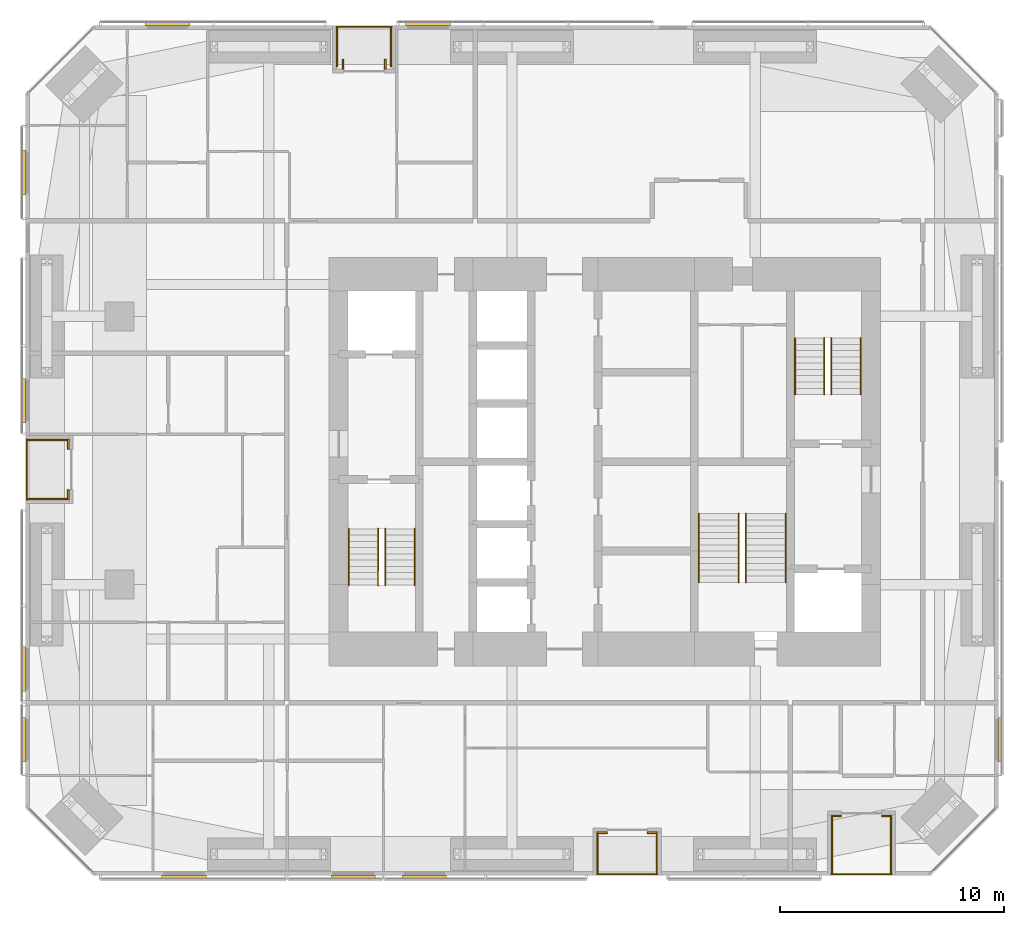
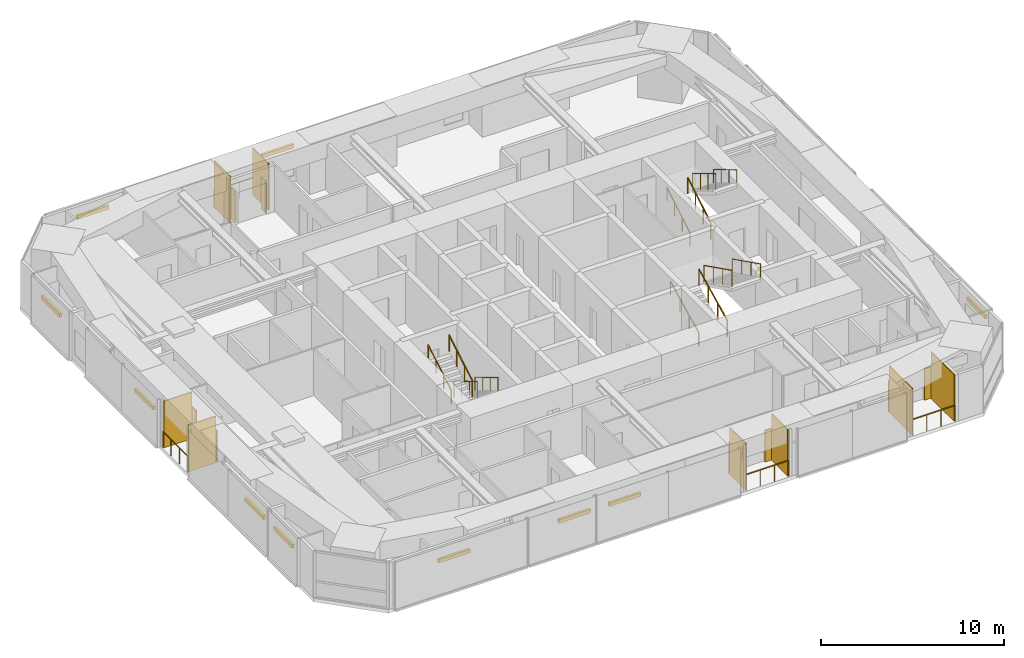
# One storey, part 24 of 24: 26 shading devices, 16 railings.
"""IFC4 building model written with IfcOpenShell, lengths in metres."""

from ifc_helpers import new_model, si_unit, direction, frame, origin, origin_2d, place, context, subcontext, project, spatial, rectangle, circle, extrude, material, layer, layer_set, constituent, constituent_set, type_object, element, save


model = new_model("IFC4")

# Units and contexts
model_context = context("Model", 3, precision=1e-05, world=origin(), true_north=direction((0.0, 1.0)))
body_context = subcontext(model_context, "Body", "Model", "MODEL_VIEW")
ifc_project = project(units=[si_unit("LENGTHUNIT", "METRE"), si_unit("AREAUNIT", "SQUARE_METRE"), si_unit("VOLUMEUNIT", "CUBIC_METRE"), si_unit("PLANEANGLEUNIT", "RADIAN"), si_unit("MASSUNIT", "GRAM", prefix="KILO")], contexts=[model_context])

# Site, building, storey
site_placement = place(None, origin())
site = spatial("IfcSite", under=ifc_project, at=site_placement, CompositionType="ELEMENT")
building_placement = place(site_placement, origin())
building = spatial("IfcBuilding", under=site, at=building_placement, Name="Jalousie Tower", CompositionType="ELEMENT")
storey_placement = place(building_placement, frame((0.0, 0.0, 131.64990234375)))
storey = spatial("IfcBuildingStorey", under=building, at=storey_placement, Name="L36", CompositionType="ELEMENT", Elevation=131.64990234375)

# Shading devices
ifc_material_1 = material(Name="Aluminium impact-rated louvred storm shutter", Category="aluminium")
shading_device_type_1 = type_object("IfcShadingDeviceType", Name="BI-FOLD STORM SHUTTER 900x2100", PredefinedType="SHUTTER", material=ifc_material_1)
for number, where, z_axis, x_axis, name in (
    (1, (31.77490234375, 1.909912109375, 0.0), (0.0, 0.0, 1.0), (1.0, 0.0, 0.0), "Loggia storm shutter L36"),
    (2, (34.02490234375, 1.909912109375, 0.0), (0.0, 0.0, 1.0), (1.0, 0.0, 0.0), "Loggia storm shutter L36"),
    (3, (42.25, 2.659912109375, 0.0), (0.0, 0.0, 1.0), (1.0, 0.0, 0.0), "Loggia storm shutter L36"),
    (4, (44.5, 2.659912109375, 0.0), (0.0, 0.0, 1.0), (1.0, 0.0, 0.0), "Loggia storm shutter L36"),
    (5, (22.077392578125, 36.27490234375, 0.0), (0.0, 0.0, 1.0), (0.0, -1.0, 0.0), "Loggia storm shutter L36"),
    (6, (20.197509765625, 36.27490234375, 0.0), (0.0, 0.0, 1.0), (0.0, -1.0, 0.0), "Loggia storm shutter L36"),
    (7, (7.909912109375, 19.27490234375, 0.0), (0.0, 0.0, 1.0), (0.0, -1.0, 0.0), "Loggia storm shutter L36"),
    (8, (7.909912109375, 17.02490234375, 0.0), (0.0, 0.0, 1.0), (0.0, -1.0, 0.0), "Loggia storm shutter L36"),
):
    element("IfcShadingDevice", number, at=place(storey_placement, frame(where, z_axis=z_axis, x_axis=x_axis)), inside=storey, type_object=shading_device_type_1, Name=name, PredefinedType="SHUTTER", context=body_context, shape_type="SweptSolid", body=[
        extrude(rectangle(XDim=0.449951171875, YDim=0.080078125, at=origin_2d()), origin(), (0.0, 0.0, 1.0), 2.10009765625),
    ])

# Railings
ifc_material_2 = material(Name="Powder-coated aluminium fretwork", Category="aluminium")
railing_type_1 = type_object("IfcRailingType", Name="FRETWORK BALUSTRADE 1100", PredefinedType="BALUSTRADE", material=ifc_material_2)
railing_1_placement = place(storey_placement, frame((31.550048828125, 0.050048828125, 0.0)))
element("IfcRailing", 9, at=railing_1_placement, inside=storey, type_object=railing_type_1, Name="Loggia fretwork balustrade L36", PredefinedType="BALUSTRADE", context=body_context, shape_type="SweptSolid", body=[
    extrude(rectangle(XDim=0.048095703125, YDim=0.048095703125, at=origin_2d()), frame((0.0, 0.0, 1.076171875), z_axis=(1.0, 0.0, 0.0), x_axis=(0.0, 1.0, 0.0)), (0.0, 0.0, 1.0), 2.699951171875),
    extrude(circle(Radius=0.02099609375, at=origin_2d()), origin(), (0.0, 0.0, 1.0), 1.052001953125),
    extrude(circle(Radius=0.02099609375, at=origin_2d()), frame((0.89990234375, 0.0, 0.0)), (0.0, 0.0, 1.0), 1.052001953125),
    extrude(circle(Radius=0.02099609375, at=origin_2d()), frame((1.800048828125, 0.0, 0.0)), (0.0, 0.0, 1.0), 1.052001953125),
    extrude(circle(Radius=0.02099609375, at=origin_2d()), frame((2.699951171875, 0.0, 0.0)), (0.0, 0.0, 1.0), 1.052001953125),
])
railing_2_placement = place(storey_placement, frame((42.02490234375, 0.050048828125, 0.0)))
element("IfcRailing", 10, at=railing_2_placement, inside=storey, type_object=railing_type_1, Name="Loggia fretwork balustrade L36", PredefinedType="BALUSTRADE", context=body_context, shape_type="SweptSolid", body=[
    extrude(rectangle(XDim=0.048095703125, YDim=0.048095703125, at=origin_2d()), frame((0.0, 0.0, 1.076171875), z_axis=(1.0, 0.0, 0.0), x_axis=(0.0, 1.0, 0.0)), (0.0, 0.0, 1.0), 2.7001953125),
    extrude(circle(Radius=0.02099609375, at=origin_2d()), origin(), (0.0, 0.0, 1.0), 1.052001953125),
    extrude(circle(Radius=0.02099609375, at=origin_2d()), frame((0.900146484375, 0.0, 0.0)), (0.0, 0.0, 1.0), 1.052001953125),
    extrude(circle(Radius=0.02099609375, at=origin_2d()), frame((1.800048828125, 0.0, 0.0)), (0.0, 0.0, 1.0), 1.052001953125),
    extrude(circle(Radius=0.02099609375, at=origin_2d()), frame((2.7001953125, 0.0, 0.0)), (0.0, 0.0, 1.0), 1.052001953125),
])
railing_3_placement = place(storey_placement, frame((22.375, 37.949951171875, 0.0)))
element("IfcRailing", 11, at=railing_3_placement, inside=storey, type_object=railing_type_1, Name="Loggia fretwork balustrade L36", PredefinedType="BALUSTRADE", context=body_context, shape_type="SweptSolid", body=[
    extrude(rectangle(XDim=0.048095703125, YDim=0.048095703125, at=origin_2d()), frame((0.0, 0.0, 1.076171875), z_axis=(-1.0, 0.0, 0.0), x_axis=(0.0, -1.0, 0.0)), (0.0, 0.0, 1.0), 2.47509765625),
    extrude(circle(Radius=0.02099609375, at=origin_2d()), origin(), (0.0, 0.0, 1.0), 1.052001953125),
    extrude(circle(Radius=0.02099609375, at=origin_2d()), frame((-0.824951171875, 0.0, 0.0)), (0.0, 0.0, 1.0), 1.052001953125),
    extrude(circle(Radius=0.02099609375, at=origin_2d()), frame((-1.650146484375, 0.0, 0.0)), (0.0, 0.0, 1.0), 1.052001953125),
    extrude(circle(Radius=0.02099609375, at=origin_2d()), frame((-2.47509765625, 0.0, 0.0)), (0.0, 0.0, 1.0), 1.052001953125),
])
railing_4_placement = place(storey_placement, frame((6.050048828125, 19.5, 0.0)))
element("IfcRailing", 12, at=railing_4_placement, inside=storey, type_object=railing_type_1, Name="Loggia fretwork balustrade L36", PredefinedType="BALUSTRADE", context=body_context, shape_type="SweptSolid", body=[
    extrude(rectangle(XDim=0.048095703125, YDim=0.048095703125, at=origin_2d()), frame((0.0, 0.0, 1.076171875), z_axis=(0.0, -1.0, 0.0), x_axis=(1.0, 0.0, 0.0)), (0.0, 0.0, 1.0), 2.699951171875),
    extrude(circle(Radius=0.02099609375, at=origin_2d()), origin(), (0.0, 0.0, 1.0), 1.052001953125),
    extrude(circle(Radius=0.02099609375, at=origin_2d()), frame((0.0, -0.89990234375, 0.0)), (0.0, 0.0, 1.0), 1.052001953125),
    extrude(circle(Radius=0.02099609375, at=origin_2d()), frame((0.0, -1.800048828125, 0.0)), (0.0, 0.0, 1.0), 1.052001953125),
    extrude(circle(Radius=0.02099609375, at=origin_2d()), frame((0.0, -2.699951171875, 0.0)), (0.0, 0.0, 1.0), 1.052001953125),
])

# Shading devices
ifc_material_3 = material(Name="Powder-coated aluminium louvres", Category="aluminium")
ifc_layer = layer(ifc_material_3, 0.06005859375)
ifc_layer_set = layer_set([ifc_layer], Name="Powder-coated aluminium louvres")
shading_device_type_2 = type_object("IfcShadingDeviceType", Name="JALOUSIE LOUVRE SCREEN", PredefinedType="JALOUSIE", material=ifc_layer_set)
for number, where, z_axis, x_axis, name in (
    (13, (31.580078125, 0.97509765625, 0.0), (0.0, 0.0, 1.0), (1.0, 0.0, 0.0), "Loggia jalousie louvre screen L36"),
    (14, (34.219970703125, 0.97509765625, 0.0), (0.0, 0.0, 1.0), (1.0, 0.0, 0.0), "Loggia jalousie louvre screen L36"),
):
    element("IfcShadingDevice", number, at=place(storey_placement, frame(where, z_axis=z_axis, x_axis=x_axis)), inside=storey, type_object=shading_device_type_2, Name=name, PredefinedType="JALOUSIE", context=body_context, shape_type="SweptSolid", body=[
        extrude(rectangle(XDim=0.06005859375, YDim=1.75, at=origin_2d()), origin(), (0.0, 0.0, 1.0), 3.110107421875),
    ])
for number, where, z_axis, x_axis, name in (
    (15, (42.054931640625, 1.35009765625, 0.0), (0.0, 0.0, 1.0), (1.0, 0.0, 0.0), "Loggia jalousie louvre screen L36"),
    (16, (44.695068359375, 1.35009765625, 0.0), (0.0, 0.0, 1.0), (1.0, 0.0, 0.0), "Loggia jalousie louvre screen L36"),
):
    element("IfcShadingDevice", number, at=place(storey_placement, frame(where, z_axis=z_axis, x_axis=x_axis)), inside=storey, type_object=shading_device_type_2, Name=name, PredefinedType="JALOUSIE", context=body_context, shape_type="SweptSolid", body=[
        extrude(rectangle(XDim=0.06005859375, YDim=2.5, at=origin_2d()), origin(), (0.0, 0.0, 1.0), 3.110107421875),
    ])
for number, where, z_axis, x_axis, name in (
    (17, (22.344970703125, 37.02490234375, 0.0), (0.0, 0.0, 1.0), (-1.0, 0.0, 0.0), "Loggia jalousie louvre screen L36"),
    (18, (19.929931640625, 37.02490234375, 0.0), (0.0, 0.0, 1.0), (-1.0, 0.0, 0.0), "Loggia jalousie louvre screen L36"),
    (19, (6.97509765625, 19.469970703125, 0.0), (0.0, 0.0, 1.0), (0.0, -1.0, 0.0), "Loggia jalousie louvre screen L36"),
    (20, (6.97509765625, 16.830078125, 0.0), (0.0, 0.0, 1.0), (0.0, -1.0, 0.0), "Loggia jalousie louvre screen L36"),
):
    element("IfcShadingDevice", number, at=place(storey_placement, frame(where, z_axis=z_axis, x_axis=x_axis)), inside=storey, type_object=shading_device_type_2, Name=name, PredefinedType="JALOUSIE", context=body_context, shape_type="SweptSolid", body=[
        extrude(rectangle(XDim=0.06005859375, YDim=1.75, at=origin_2d()), origin(), (0.0, 0.0, 1.0), 3.110107421875),
    ])

# Railings
ifc_material_4 = material(Name="Steel ASTM A500 Grade C", Category="steel")
ifc_constituent_1 = constituent(ifc_material_4, Name="Body")
ifc_material_5 = material(Name="Hot-dip galvanised zinc coating")
ifc_constituent_2 = constituent(ifc_material_5, Name="Finish")
ifc_constituent_set_1 = constituent_set(constituents=[ifc_constituent_1, ifc_constituent_2])
railing_type_2 = type_object("IfcRailingType", Name="STAIR GUARD 1100", PredefinedType="GUARDRAIL", material=ifc_constituent_set_1)
railing_5_placement = place(storey_placement, frame((22.080078125, 15.49755859375, 0.16748046875)))
element("IfcRailing", 21, at=railing_5_placement, inside=storey, type_object=railing_type_2, Name="Exit stair A guard L36 flight 1", PredefinedType="GUARDRAIL", context=body_context, shape_type="SweptSolid", body=[
    extrude(rectangle(XDim=0.048095703125, YDim=0.048095703125, at=origin_2d()), frame((0.0, 0.0, 1.076171875), z_axis=(0.0, -0.858159760407, 0.513382728203), x_axis=(1.0, 0.0, 0.0)), (0.0, 0.0, 1.0), 2.9365234375),
    extrude(circle(Radius=0.02099609375, at=origin_2d()), origin(), (0.0, 0.0, 1.0), 1.052001953125),
    extrude(circle(Radius=0.02099609375, at=origin_2d()), frame((0.0, -0.840087890625, 0.50244140625)), (0.0, 0.0, 1.0), 1.052001953125),
    extrude(circle(Radius=0.02099609375, at=origin_2d()), frame((0.0, -1.679931640625, 1.005126953125)), (0.0, 0.0, 1.0), 1.052001953125),
    extrude(circle(Radius=0.02099609375, at=origin_2d()), frame((0.0, -2.52001953125, 1.507568359375)), (0.0, 0.0, 1.0), 1.052001953125),
])
for number, where, name in (
    (22, (21.77001953125, 12.9775390625, 1.842529296875), "Exit stair A guard L36 flight 2"),
    (23, (41.719970703125, 21.50244140625, 0.16748046875), "Exit stair B guard L36 flight 1"),
):
    element("IfcRailing", number, at=place(storey_placement, frame(where)), inside=storey, type_object=railing_type_2, Name=name, PredefinedType="GUARDRAIL", context=body_context, shape_type="SweptSolid", body=[
        extrude(rectangle(XDim=0.048095703125, YDim=0.048095703125, at=origin_2d()), frame((0.0, 0.0, 1.076171875), z_axis=(0.0, 0.858159760407, 0.513382728203), x_axis=(-1.0, 0.0, 0.0)), (0.0, 0.0, 1.0), 2.9365234375),
        extrude(circle(Radius=0.02099609375, at=origin_2d()), origin(), (0.0, 0.0, 1.0), 1.052001953125),
        extrude(circle(Radius=0.02099609375, at=origin_2d()), frame((0.0, 0.840087890625, 0.50244140625)), (0.0, 0.0, 1.0), 1.052001953125),
        extrude(circle(Radius=0.02099609375, at=origin_2d()), frame((0.0, 1.679931640625, 1.005126953125)), (0.0, 0.0, 1.0), 1.052001953125),
        extrude(circle(Radius=0.02099609375, at=origin_2d()), frame((0.0, 2.52001953125, 1.507568359375)), (0.0, 0.0, 1.0), 1.052001953125),
    ])
railing_6_placement = place(storey_placement, frame((42.030029296875, 24.0224609375, 1.842529296875)))
element("IfcRailing", 24, at=railing_6_placement, inside=storey, type_object=railing_type_2, Name="Exit stair B guard L36 flight 2", PredefinedType="GUARDRAIL", context=body_context, shape_type="SweptSolid", body=[
    extrude(rectangle(XDim=0.048095703125, YDim=0.048095703125, at=origin_2d()), frame((0.0, 0.0, 1.076171875), z_axis=(0.0, -0.858159760407, 0.513382728203), x_axis=(1.0, 0.0, 0.0)), (0.0, 0.0, 1.0), 2.9365234375),
    extrude(circle(Radius=0.02099609375, at=origin_2d()), origin(), (0.0, 0.0, 1.0), 1.052001953125),
    extrude(circle(Radius=0.02099609375, at=origin_2d()), frame((0.0, -0.840087890625, 0.50244140625)), (0.0, 0.0, 1.0), 1.052001953125),
    extrude(circle(Radius=0.02099609375, at=origin_2d()), frame((0.0, -1.679931640625, 1.005126953125)), (0.0, 0.0, 1.0), 1.052001953125),
    extrude(circle(Radius=0.02099609375, at=origin_2d()), frame((0.0, -2.52001953125, 1.507568359375)), (0.0, 0.0, 1.0), 1.052001953125),
])
railing_7_placement = place(storey_placement, frame((37.89501953125, 13.097412109375, 0.1396484375)))
element("IfcRailing", 25, at=railing_7_placement, inside=storey, type_object=railing_type_2, Name="Exit stair C guard L36 flight 1", PredefinedType="GUARDRAIL", context=body_context, shape_type="SweptSolid", body=[
    extrude(rectangle(XDim=0.048095703125, YDim=0.048095703125, at=origin_2d()), frame((0.0, 0.0, 1.076171875), z_axis=(0.0, 0.894965676997, 0.446134998624), x_axis=(-1.0, 0.0, 0.0)), (0.0, 0.0, 1.0), 3.441650390625),
    extrude(circle(Radius=0.02099609375, at=origin_2d()), origin(), (0.0, 0.0, 1.0), 1.052001953125),
    extrude(circle(Radius=0.02099609375, at=origin_2d()), frame((0.0, 1.026611328125, 0.51171875)), (0.0, 0.0, 1.0), 1.052001953125),
    extrude(circle(Radius=0.02099609375, at=origin_2d()), frame((0.0, 2.053466796875, 1.023681640625)), (0.0, 0.0, 1.0), 1.052001953125),
    extrude(circle(Radius=0.02099609375, at=origin_2d()), frame((0.0, 3.080078125, 1.535400390625)), (0.0, 0.0, 1.0), 1.052001953125),
])
railing_8_placement = place(storey_placement, frame((38.205078125, 16.177490234375, 1.814697265625)))
element("IfcRailing", 26, at=railing_8_placement, inside=storey, type_object=railing_type_2, Name="Exit stair C guard L36 flight 2", PredefinedType="GUARDRAIL", context=body_context, shape_type="SweptSolid", body=[
    extrude(rectangle(XDim=0.048095703125, YDim=0.048095703125, at=origin_2d()), frame((0.0, 0.0, 1.076171875), z_axis=(0.0, -0.894965676997, 0.446134998624), x_axis=(1.0, 0.0, 0.0)), (0.0, 0.0, 1.0), 3.441650390625),
    extrude(circle(Radius=0.02099609375, at=origin_2d()), origin(), (0.0, 0.0, 1.0), 1.052001953125),
    extrude(circle(Radius=0.02099609375, at=origin_2d()), frame((0.0, -1.026611328125, 0.51171875)), (0.0, 0.0, 1.0), 1.052001953125),
    extrude(circle(Radius=0.02099609375, at=origin_2d()), frame((0.0, -2.053466796875, 1.023681640625)), (0.0, 0.0, 1.0), 1.052001953125),
    extrude(circle(Radius=0.02099609375, at=origin_2d()), frame((0.0, -3.080078125, 1.535400390625)), (0.0, 0.0, 1.0), 1.052001953125),
])
ifc_material_6 = material(Name="Steel ASTM A500 Grade C", Category="steel")
ifc_constituent_3 = constituent(ifc_material_6, Name="Body")
ifc_material_7 = material(Name="Hot-dip galvanised zinc coating")
ifc_constituent_4 = constituent(ifc_material_7, Name="Finish")
ifc_constituent_set_2 = constituent_set(constituents=[ifc_constituent_3, ifc_constituent_4])
railing_type_3 = type_object("IfcRailingType", Name="STAIR HANDRAIL 900", PredefinedType="HANDRAIL", material=ifc_constituent_set_2)
railing_9_placement = place(storey_placement, frame((23.39501953125, 15.49755859375, 0.16748046875)))
element("IfcRailing", 27, at=railing_9_placement, inside=storey, type_object=railing_type_3, Name="Exit stair A handrail L36 flight 1", PredefinedType="HANDRAIL", context=body_context, shape_type="SweptSolid", body=[
    extrude(circle(Radius=0.02392578125, at=origin_2d()), frame((0.0, 0.0, 0.8759765625), z_axis=(0.0, -0.858159760407, 0.513382728203), x_axis=(1.0, 0.0, 0.0)), (0.0, 0.0, 1.0), 2.9365234375),
    extrude(circle(Radius=0.02099609375, at=origin_2d()), origin(), (0.0, 0.0, 1.0), 0.851806640625),
    extrude(circle(Radius=0.02099609375, at=origin_2d()), frame((0.0, -0.840087890625, 0.50244140625)), (0.0, 0.0, 1.0), 0.851806640625),
    extrude(circle(Radius=0.02099609375, at=origin_2d()), frame((0.0, -1.679931640625, 1.005126953125)), (0.0, 0.0, 1.0), 0.851806640625),
    extrude(circle(Radius=0.02099609375, at=origin_2d()), frame((0.0, -2.52001953125, 1.507568359375)), (0.0, 0.0, 1.0), 0.851806640625),
])
for number, where, name in (
    (28, (20.455078125, 12.9775390625, 1.842529296875), "Exit stair A handrail L36 flight 2"),
    (29, (40.405029296875, 21.50244140625, 0.16748046875), "Exit stair B handrail L36 flight 1"),
):
    element("IfcRailing", number, at=place(storey_placement, frame(where)), inside=storey, type_object=railing_type_3, Name=name, PredefinedType="HANDRAIL", context=body_context, shape_type="SweptSolid", body=[
        extrude(circle(Radius=0.02392578125, at=origin_2d()), frame((0.0, 0.0, 0.8759765625), z_axis=(0.0, 0.858159760407, 0.513382728203), x_axis=(-1.0, 0.0, 0.0)), (0.0, 0.0, 1.0), 2.9365234375),
        extrude(circle(Radius=0.02099609375, at=origin_2d()), origin(), (0.0, 0.0, 1.0), 0.851806640625),
        extrude(circle(Radius=0.02099609375, at=origin_2d()), frame((0.0, 0.840087890625, 0.50244140625)), (0.0, 0.0, 1.0), 0.851806640625),
        extrude(circle(Radius=0.02099609375, at=origin_2d()), frame((0.0, 1.679931640625, 1.005126953125)), (0.0, 0.0, 1.0), 0.851806640625),
        extrude(circle(Radius=0.02099609375, at=origin_2d()), frame((0.0, 2.52001953125, 1.507568359375)), (0.0, 0.0, 1.0), 0.851806640625),
    ])
railing_10_placement = place(storey_placement, frame((43.344970703125, 24.0224609375, 1.842529296875)))
element("IfcRailing", 30, at=railing_10_placement, inside=storey, type_object=railing_type_3, Name="Exit stair B handrail L36 flight 2", PredefinedType="HANDRAIL", context=body_context, shape_type="SweptSolid", body=[
    extrude(circle(Radius=0.02392578125, at=origin_2d()), frame((0.0, 0.0, 0.8759765625), z_axis=(0.0, -0.858159760407, 0.513382728203), x_axis=(1.0, 0.0, 0.0)), (0.0, 0.0, 1.0), 2.9365234375),
    extrude(circle(Radius=0.02099609375, at=origin_2d()), origin(), (0.0, 0.0, 1.0), 0.851806640625),
    extrude(circle(Radius=0.02099609375, at=origin_2d()), frame((0.0, -0.840087890625, 0.50244140625)), (0.0, 0.0, 1.0), 0.851806640625),
    extrude(circle(Radius=0.02099609375, at=origin_2d()), frame((0.0, -1.679931640625, 1.005126953125)), (0.0, 0.0, 1.0), 0.851806640625),
    extrude(circle(Radius=0.02099609375, at=origin_2d()), frame((0.0, -2.52001953125, 1.507568359375)), (0.0, 0.0, 1.0), 0.851806640625),
])
railing_11_placement = place(storey_placement, frame((36.10498046875, 13.097412109375, 0.1396484375)))
element("IfcRailing", 31, at=railing_11_placement, inside=storey, type_object=railing_type_3, Name="Exit stair C handrail L36 flight 1", PredefinedType="HANDRAIL", context=body_context, shape_type="SweptSolid", body=[
    extrude(circle(Radius=0.02392578125, at=origin_2d()), frame((0.0, 0.0, 0.8759765625), z_axis=(0.0, 0.894965676997, 0.446134998624), x_axis=(-1.0, 0.0, 0.0)), (0.0, 0.0, 1.0), 3.441650390625),
    extrude(circle(Radius=0.02099609375, at=origin_2d()), origin(), (0.0, 0.0, 1.0), 0.851806640625),
    extrude(circle(Radius=0.02099609375, at=origin_2d()), frame((0.0, 1.026611328125, 0.51171875)), (0.0, 0.0, 1.0), 0.851806640625),
    extrude(circle(Radius=0.02099609375, at=origin_2d()), frame((0.0, 2.053466796875, 1.023681640625)), (0.0, 0.0, 1.0), 0.851806640625),
    extrude(circle(Radius=0.02099609375, at=origin_2d()), frame((0.0, 3.080078125, 1.535400390625)), (0.0, 0.0, 1.0), 0.851806640625),
])
railing_12_placement = place(storey_placement, frame((39.9951171875, 16.177490234375, 1.814697265625)))
element("IfcRailing", 32, at=railing_12_placement, inside=storey, type_object=railing_type_3, Name="Exit stair C handrail L36 flight 2", PredefinedType="HANDRAIL", context=body_context, shape_type="SweptSolid", body=[
    extrude(circle(Radius=0.02392578125, at=origin_2d()), frame((0.0, 0.0, 0.8759765625), z_axis=(0.0, -0.894965676997, 0.446134998624), x_axis=(1.0, 0.0, 0.0)), (0.0, 0.0, 1.0), 3.441650390625),
    extrude(circle(Radius=0.02099609375, at=origin_2d()), origin(), (0.0, 0.0, 1.0), 0.851806640625),
    extrude(circle(Radius=0.02099609375, at=origin_2d()), frame((0.0, -1.026611328125, 0.51171875)), (0.0, 0.0, 1.0), 0.851806640625),
    extrude(circle(Radius=0.02099609375, at=origin_2d()), frame((0.0, -2.053466796875, 1.023681640625)), (0.0, 0.0, 1.0), 0.851806640625),
    extrude(circle(Radius=0.02099609375, at=origin_2d()), frame((0.0, -3.080078125, 1.535400390625)), (0.0, 0.0, 1.0), 0.851806640625),
])

# Shading devices
ifc_material_8 = material(Name="Aluminium roller storm shutter", Category="aluminium")
shading_device_type_3 = type_object("IfcShadingDeviceType", Name="STORM SHUTTER HOUSING", PredefinedType="SHUTTER", material=ifc_material_8)
for number, where, z_axis, x_axis, name in (
    (33, (13.0849609375, -0.074951171875, 2.10009765625), (0.0, 0.0, 1.0), (1.0, 0.0, 0.0), "Storm shutter L36"),
    (34, (20.657470703125, -0.074951171875, 2.10009765625), (0.0, 0.0, 1.0), (1.0, 0.0, 0.0), "Storm shutter L36"),
    (35, (23.824951171875, -0.074951171875, 2.10009765625), (0.0, 0.0, 1.0), (1.0, 0.0, 0.0), "Storm shutter L36"),
    (36, (49.574951171875, 6.0693359375, 2.10009765625), (0.0, 0.0, 1.0), (0.0, 1.0, 0.0), "Storm shutter L36"),
    (37, (23.989990234375, 38.074951171875, 2.10009765625), (0.0, 0.0, 1.0), (-1.0, 0.0, 0.0), "Storm shutter L36"),
    (38, (12.35009765625, 38.074951171875, 2.10009765625), (0.0, 0.0, 1.0), (-1.0, 0.0, 0.0), "Storm shutter L36"),
    (39, (5.925048828125, 31.4306640625, 2.10009765625), (0.0, 0.0, 1.0), (0.0, -1.0, 0.0), "Storm shutter L36"),
    (40, (5.925048828125, 21.22998046875, 2.10009765625), (0.0, 0.0, 1.0), (0.0, -1.0, 0.0), "Storm shutter L36"),
    (41, (5.925048828125, 9.22509765625, 2.10009765625), (0.0, 0.0, 1.0), (0.0, -1.0, 0.0), "Storm shutter L36"),
    (42, (5.925048828125, 6.0693359375, 2.10009765625), (0.0, 0.0, 1.0), (0.0, -1.0, 0.0), "Storm shutter L36"),
):
    element("IfcShadingDevice", number, at=place(storey_placement, frame(where, z_axis=z_axis, x_axis=x_axis)), inside=storey, type_object=shading_device_type_3, Name=name, PredefinedType="SHUTTER", context=body_context, shape_type="SweptSolid", body=[
        extrude(rectangle(XDim=2.0, YDim=0.14990234375, at=origin_2d()), origin(), (0.0, 0.0, 1.0), 0.25),
    ])

save(model, "model.ifc")
